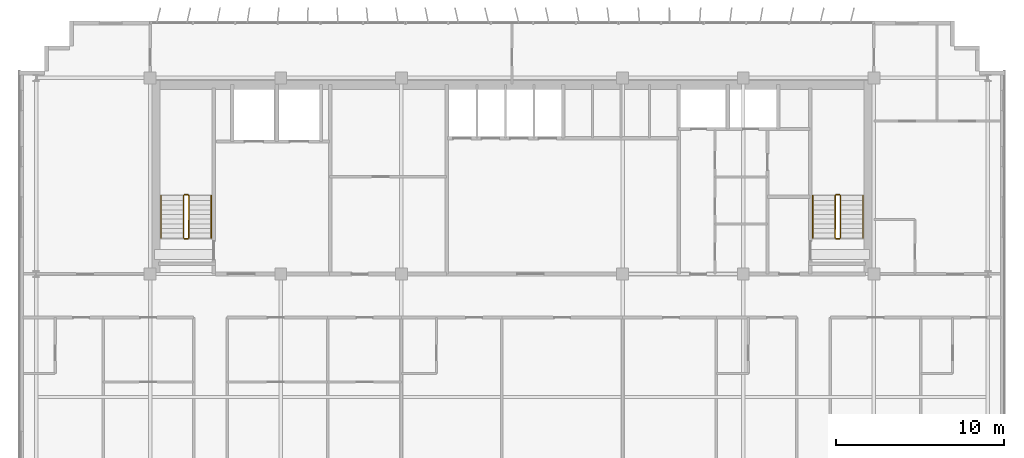
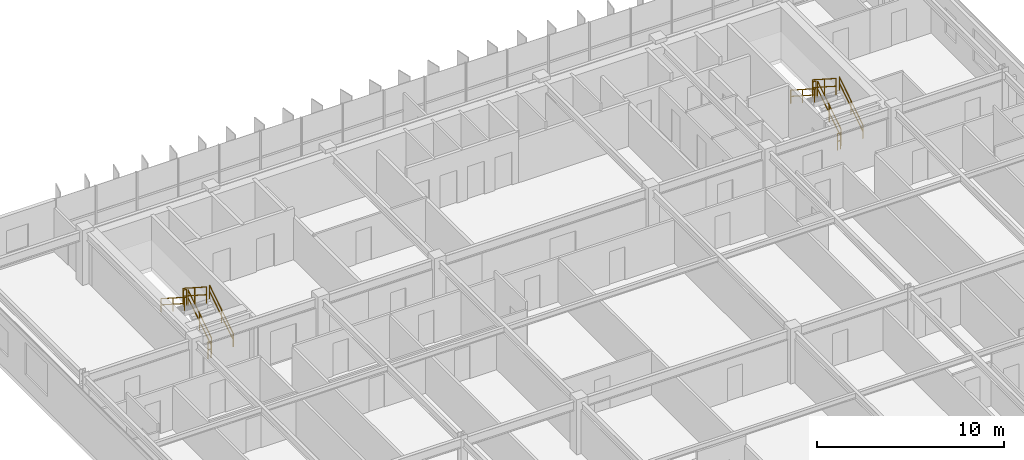
# One storey, part 21 of 21: 12 railings.
"""IFC4 building model written with IfcOpenShell, lengths in metres."""

from ifc_helpers import new_model, si_unit, direction, frame, origin, origin_2d, place, context, subcontext, project, spatial, rectangle, extrude, material, type_object, element, save


model = new_model("IFC4")

# Units and contexts
model_context = context("Model", 3, precision=1e-05, world=origin(), true_north=direction((0.0, 1.0)))
body_context = subcontext(model_context, "Body", "Model", "MODEL_VIEW")
ifc_project = project(units=[si_unit("LENGTHUNIT", "METRE"), si_unit("AREAUNIT", "SQUARE_METRE"), si_unit("VOLUMEUNIT", "CUBIC_METRE"), si_unit("PLANEANGLEUNIT", "RADIAN"), si_unit("MASSUNIT", "GRAM", prefix="KILO")], contexts=[model_context])

# Site, building, storey
site_placement = place(None, origin())
site = spatial("IfcSite", under=ifc_project, at=site_placement, CompositionType="ELEMENT")
building_placement = place(site_placement, origin())
building = spatial("IfcBuilding", under=site, at=building_placement, Name="Trelvane Seafront Commons", CompositionType="ELEMENT")
storey_placement = place(building_placement, frame((0.0, 0.0, 157.300048828125)))
storey = spatial("IfcBuildingStorey", under=building, at=storey_placement, Name="L41", CompositionType="ELEMENT", Elevation=157.300048828125)

# Railings
ifc_material = material(Name="Stainless steel balustrade", Category="steel")
railing_type_1 = type_object("IfcRailingType", Name="ARCH-SRL-GUARD", PredefinedType="GUARDRAIL", material=ifc_material)
railing_1_placement = place(storey_placement, frame((17.89990234375, 35.550048828125, 0.179931640625)))
element("IfcRailing", 1, at=railing_1_placement, inside=storey, type_object=railing_type_1, Name="L41 ST-1 stair guard 1", PredefinedType="GUARDRAIL", context=body_context, shape_type="SweptSolid", body=[
    extrude(rectangle(XDim=0.048095703125, YDim=0.048095703125, at=origin_2d()), frame((0.0, 0.0, 1.076171875), z_axis=(0.0, 0.841162588446, 0.540782303519), x_axis=(-1.0, 0.0, 0.0)), (0.0, 0.0, 1.0), 2.995849609375),
    extrude(rectangle(XDim=0.048095703125, YDim=0.048095703125, at=origin_2d()), frame((0.0, 0.0, 0.572021484375), z_axis=(0.0, 0.841162588446, 0.540782303519), x_axis=(-1.0, 0.0, 0.0)), (0.0, 0.0, 1.0), 2.995849609375),
    extrude(rectangle(XDim=0.0419921875, YDim=0.0419921875, at=origin_2d()), origin(), (0.0, 0.0, 1.0), 1.076171875),
    extrude(rectangle(XDim=0.0419921875, YDim=0.0419921875, at=origin_2d()), frame((0.0, 1.260009765625, 0.81005859375)), (0.0, 0.0, 1.0), 1.076171875),
    extrude(rectangle(XDim=0.0419921875, YDim=0.0419921875, at=origin_2d()), frame((0.0, 2.52001953125, 1.6201171875)), (0.0, 0.0, 1.0), 1.076171875),
])
railing_2_placement = place(storey_placement, frame((17.85009765625, 38.1201171875, 1.800048828125)))
element("IfcRailing", 2, at=railing_2_placement, inside=storey, type_object=railing_type_1, Name="L41 ST-1 stair guard 2", PredefinedType="GUARDRAIL", context=body_context, shape_type="SweptSolid", body=[
    extrude(rectangle(XDim=0.048095703125, YDim=0.048095703125, at=origin_2d()), frame((0.0, 0.0, 1.076171875), z_axis=(-1.0, 0.0, 0.0), x_axis=(0.0, -1.0, 0.0)), (0.0, 0.0, 1.0), 0.2001953125),
    extrude(rectangle(XDim=0.048095703125, YDim=0.048095703125, at=origin_2d()), frame((0.0, 0.0, 0.572021484375), z_axis=(-1.0, 0.0, 0.0), x_axis=(0.0, -1.0, 0.0)), (0.0, 0.0, 1.0), 0.2001953125),
    extrude(rectangle(XDim=0.0419921875, YDim=0.0419921875, at=origin_2d()), origin(), (0.0, 0.0, 1.0), 1.076171875),
    extrude(rectangle(XDim=0.0419921875, YDim=0.0419921875, at=origin_2d()), frame((-0.2001953125, 0.0, 0.0)), (0.0, 0.0, 1.0), 1.076171875),
])
railing_3_placement = place(storey_placement, frame((17.60009765625, 38.070068359375, 1.97998046875)))
element("IfcRailing", 3, at=railing_3_placement, inside=storey, type_object=railing_type_1, Name="L41 ST-1 stair guard 3", PredefinedType="GUARDRAIL", context=body_context, shape_type="SweptSolid", body=[
    extrude(rectangle(XDim=0.048095703125, YDim=0.048095703125, at=origin_2d()), frame((0.0, 0.0, 1.076171875), z_axis=(0.0, -0.841199657755, 0.540724639528), x_axis=(1.0, 0.0, 0.0)), (0.0, 0.0, 1.0), 2.995849609375),
    extrude(rectangle(XDim=0.048095703125, YDim=0.048095703125, at=origin_2d()), frame((0.0, 0.0, 0.572021484375), z_axis=(0.0, -0.841199657755, 0.540724639528), x_axis=(1.0, 0.0, 0.0)), (0.0, 0.0, 1.0), 2.995849609375),
    extrude(rectangle(XDim=0.0419921875, YDim=0.0419921875, at=origin_2d()), origin(), (0.0, 0.0, 1.0), 1.076171875),
    extrude(rectangle(XDim=0.0419921875, YDim=0.0419921875, at=origin_2d()), frame((0.0, -1.260009765625, 0.81005859375)), (0.0, 0.0, 1.0), 1.076171875),
    extrude(rectangle(XDim=0.0419921875, YDim=0.0419921875, at=origin_2d()), frame((0.0, -2.52001953125, 1.619873046875)), (0.0, 0.0, 1.0), 1.076171875),
])
railing_4_placement = place(storey_placement, frame((17.85009765625, 35.5, 0.0)))
element("IfcRailing", 4, at=railing_4_placement, inside=storey, type_object=railing_type_1, Name="L41 ST-1 stair guard 4", PredefinedType="GUARDRAIL", context=body_context, shape_type="SweptSolid", body=[
    extrude(rectangle(XDim=0.048095703125, YDim=0.048095703125, at=origin_2d()), frame((0.0, 0.0, 1.076171875), z_axis=(-1.0, 0.0, 0.0), x_axis=(0.0, -1.0, 0.0)), (0.0, 0.0, 1.0), 0.2001953125),
    extrude(rectangle(XDim=0.048095703125, YDim=0.048095703125, at=origin_2d()), frame((0.0, 0.0, 0.572021484375), z_axis=(-1.0, 0.0, 0.0), x_axis=(0.0, -1.0, 0.0)), (0.0, 0.0, 1.0), 0.2001953125),
    extrude(rectangle(XDim=0.0419921875, YDim=0.0419921875, at=origin_2d()), origin(), (0.0, 0.0, 1.0), 1.076171875),
    extrude(rectangle(XDim=0.0419921875, YDim=0.0419921875, at=origin_2d()), frame((-0.2001953125, 0.0, 0.0)), (0.0, 0.0, 1.0), 1.076171875),
])
railing_5_placement = place(storey_placement, frame((56.800048828125, 35.550048828125, 0.179931640625)))
element("IfcRailing", 5, at=railing_5_placement, inside=storey, type_object=railing_type_1, Name="L41 ST-2 stair guard 1", PredefinedType="GUARDRAIL", context=body_context, shape_type="SweptSolid", body=[
    extrude(rectangle(XDim=0.048095703125, YDim=0.048095703125, at=origin_2d()), frame((0.0, 0.0, 1.076171875), z_axis=(0.0, 0.841162588446, 0.540782303519), x_axis=(-1.0, 0.0, 0.0)), (0.0, 0.0, 1.0), 2.995849609375),
    extrude(rectangle(XDim=0.048095703125, YDim=0.048095703125, at=origin_2d()), frame((0.0, 0.0, 0.572021484375), z_axis=(0.0, 0.841162588446, 0.540782303519), x_axis=(-1.0, 0.0, 0.0)), (0.0, 0.0, 1.0), 2.995849609375),
    extrude(rectangle(XDim=0.0419921875, YDim=0.0419921875, at=origin_2d()), origin(), (0.0, 0.0, 1.0), 1.076171875),
    extrude(rectangle(XDim=0.0419921875, YDim=0.0419921875, at=origin_2d()), frame((0.0, 1.260009765625, 0.81005859375)), (0.0, 0.0, 1.0), 1.076171875),
    extrude(rectangle(XDim=0.0419921875, YDim=0.0419921875, at=origin_2d()), frame((0.0, 2.52001953125, 1.6201171875)), (0.0, 0.0, 1.0), 1.076171875),
])
railing_6_placement = place(storey_placement, frame((56.75, 38.1201171875, 1.800048828125)))
element("IfcRailing", 6, at=railing_6_placement, inside=storey, type_object=railing_type_1, Name="L41 ST-2 stair guard 2", PredefinedType="GUARDRAIL", context=body_context, shape_type="SweptSolid", body=[
    extrude(rectangle(XDim=0.048095703125, YDim=0.048095703125, at=origin_2d()), frame((0.0, 0.0, 1.076171875), z_axis=(-1.0, 0.0, 0.0), x_axis=(0.0, -1.0, 0.0)), (0.0, 0.0, 1.0), 0.199951171875),
    extrude(rectangle(XDim=0.048095703125, YDim=0.048095703125, at=origin_2d()), frame((0.0, 0.0, 0.572021484375), z_axis=(-1.0, 0.0, 0.0), x_axis=(0.0, -1.0, 0.0)), (0.0, 0.0, 1.0), 0.199951171875),
    extrude(rectangle(XDim=0.0419921875, YDim=0.0419921875, at=origin_2d()), origin(), (0.0, 0.0, 1.0), 1.076171875),
    extrude(rectangle(XDim=0.0419921875, YDim=0.0419921875, at=origin_2d()), frame((-0.199951171875, 0.0, 0.0)), (0.0, 0.0, 1.0), 1.076171875),
])
railing_7_placement = place(storey_placement, frame((56.5, 38.070068359375, 1.97998046875)))
element("IfcRailing", 7, at=railing_7_placement, inside=storey, type_object=railing_type_1, Name="L41 ST-2 stair guard 3", PredefinedType="GUARDRAIL", context=body_context, shape_type="SweptSolid", body=[
    extrude(rectangle(XDim=0.048095703125, YDim=0.048095703125, at=origin_2d()), frame((0.0, 0.0, 1.076171875), z_axis=(0.0, -0.841199657755, 0.540724639528), x_axis=(1.0, 0.0, 0.0)), (0.0, 0.0, 1.0), 2.995849609375),
    extrude(rectangle(XDim=0.048095703125, YDim=0.048095703125, at=origin_2d()), frame((0.0, 0.0, 0.572021484375), z_axis=(0.0, -0.841199657755, 0.540724639528), x_axis=(1.0, 0.0, 0.0)), (0.0, 0.0, 1.0), 2.995849609375),
    extrude(rectangle(XDim=0.0419921875, YDim=0.0419921875, at=origin_2d()), origin(), (0.0, 0.0, 1.0), 1.076171875),
    extrude(rectangle(XDim=0.0419921875, YDim=0.0419921875, at=origin_2d()), frame((0.0, -1.260009765625, 0.81005859375)), (0.0, 0.0, 1.0), 1.076171875),
    extrude(rectangle(XDim=0.0419921875, YDim=0.0419921875, at=origin_2d()), frame((0.0, -2.52001953125, 1.619873046875)), (0.0, 0.0, 1.0), 1.076171875),
])
railing_8_placement = place(storey_placement, frame((56.75, 35.5, 0.0)))
element("IfcRailing", 8, at=railing_8_placement, inside=storey, type_object=railing_type_1, Name="L41 ST-2 stair guard 4", PredefinedType="GUARDRAIL", context=body_context, shape_type="SweptSolid", body=[
    extrude(rectangle(XDim=0.048095703125, YDim=0.048095703125, at=origin_2d()), frame((0.0, 0.0, 1.076171875), z_axis=(-1.0, 0.0, 0.0), x_axis=(0.0, -1.0, 0.0)), (0.0, 0.0, 1.0), 0.199951171875),
    extrude(rectangle(XDim=0.048095703125, YDim=0.048095703125, at=origin_2d()), frame((0.0, 0.0, 0.572021484375), z_axis=(-1.0, 0.0, 0.0), x_axis=(0.0, -1.0, 0.0)), (0.0, 0.0, 1.0), 0.199951171875),
    extrude(rectangle(XDim=0.0419921875, YDim=0.0419921875, at=origin_2d()), origin(), (0.0, 0.0, 1.0), 1.076171875),
    extrude(rectangle(XDim=0.0419921875, YDim=0.0419921875, at=origin_2d()), frame((-0.199951171875, 0.0, 0.0)), (0.0, 0.0, 1.0), 1.076171875),
])
railing_type_2 = type_object("IfcRailingType", Name="ARCH-SRL-HAND", PredefinedType="HANDRAIL", material=ifc_material)
railing_9_placement = place(storey_placement, frame((19.25, 35.550048828125, 0.179931640625)))
element("IfcRailing", 9, at=railing_9_placement, inside=storey, type_object=railing_type_2, Name="L41 ST-1 stair handrail 1", PredefinedType="HANDRAIL", context=body_context, shape_type="SweptSolid", body=[
    extrude(rectangle(XDim=0.048095703125, YDim=0.048095703125, at=origin_2d()), frame((0.0, 0.0, 0.8759765625), z_axis=(0.0, 0.841162588446, 0.540782303519), x_axis=(-1.0, 0.0, 0.0)), (0.0, 0.0, 1.0), 2.995849609375),
    extrude(rectangle(XDim=0.048095703125, YDim=0.048095703125, at=origin_2d()), frame((0.0, 0.0, 0.468017578125), z_axis=(0.0, 0.841162588446, 0.540782303519), x_axis=(-1.0, 0.0, 0.0)), (0.0, 0.0, 1.0), 2.995849609375),
    extrude(rectangle(XDim=0.0419921875, YDim=0.0419921875, at=origin_2d()), origin(), (0.0, 0.0, 1.0), 0.8759765625),
    extrude(rectangle(XDim=0.0419921875, YDim=0.0419921875, at=origin_2d()), frame((0.0, 1.260009765625, 0.81005859375)), (0.0, 0.0, 1.0), 0.8759765625),
    extrude(rectangle(XDim=0.0419921875, YDim=0.0419921875, at=origin_2d()), frame((0.0, 2.52001953125, 1.6201171875)), (0.0, 0.0, 1.0), 0.8759765625),
])
railing_10_placement = place(storey_placement, frame((16.25, 38.070068359375, 1.97998046875)))
element("IfcRailing", 10, at=railing_10_placement, inside=storey, type_object=railing_type_2, Name="L41 ST-1 stair handrail 2", PredefinedType="HANDRAIL", context=body_context, shape_type="SweptSolid", body=[
    extrude(rectangle(XDim=0.048095703125, YDim=0.048095703125, at=origin_2d()), frame((0.0, 0.0, 0.8759765625), z_axis=(0.0, -0.841199657755, 0.540724639528), x_axis=(1.0, 0.0, 0.0)), (0.0, 0.0, 1.0), 2.995849609375),
    extrude(rectangle(XDim=0.048095703125, YDim=0.048095703125, at=origin_2d()), frame((0.0, 0.0, 0.468017578125), z_axis=(0.0, -0.841199657755, 0.540724639528), x_axis=(1.0, 0.0, 0.0)), (0.0, 0.0, 1.0), 2.995849609375),
    extrude(rectangle(XDim=0.0419921875, YDim=0.0419921875, at=origin_2d()), origin(), (0.0, 0.0, 1.0), 0.8759765625),
    extrude(rectangle(XDim=0.0419921875, YDim=0.0419921875, at=origin_2d()), frame((0.0, -1.260009765625, 0.81005859375)), (0.0, 0.0, 1.0), 0.8759765625),
    extrude(rectangle(XDim=0.0419921875, YDim=0.0419921875, at=origin_2d()), frame((0.0, -2.52001953125, 1.619873046875)), (0.0, 0.0, 1.0), 0.8759765625),
])
railing_11_placement = place(storey_placement, frame((58.14990234375, 35.550048828125, 0.179931640625)))
element("IfcRailing", 11, at=railing_11_placement, inside=storey, type_object=railing_type_2, Name="L41 ST-2 stair handrail 1", PredefinedType="HANDRAIL", context=body_context, shape_type="SweptSolid", body=[
    extrude(rectangle(XDim=0.048095703125, YDim=0.048095703125, at=origin_2d()), frame((0.0, 0.0, 0.8759765625), z_axis=(0.0, 0.841162588446, 0.540782303519), x_axis=(-1.0, 0.0, 0.0)), (0.0, 0.0, 1.0), 2.995849609375),
    extrude(rectangle(XDim=0.048095703125, YDim=0.048095703125, at=origin_2d()), frame((0.0, 0.0, 0.468017578125), z_axis=(0.0, 0.841162588446, 0.540782303519), x_axis=(-1.0, 0.0, 0.0)), (0.0, 0.0, 1.0), 2.995849609375),
    extrude(rectangle(XDim=0.0419921875, YDim=0.0419921875, at=origin_2d()), origin(), (0.0, 0.0, 1.0), 0.8759765625),
    extrude(rectangle(XDim=0.0419921875, YDim=0.0419921875, at=origin_2d()), frame((0.0, 1.260009765625, 0.81005859375)), (0.0, 0.0, 1.0), 0.8759765625),
    extrude(rectangle(XDim=0.0419921875, YDim=0.0419921875, at=origin_2d()), frame((0.0, 2.52001953125, 1.6201171875)), (0.0, 0.0, 1.0), 0.8759765625),
])
railing_12_placement = place(storey_placement, frame((55.14990234375, 38.070068359375, 1.97998046875)))
element("IfcRailing", 12, at=railing_12_placement, inside=storey, type_object=railing_type_2, Name="L41 ST-2 stair handrail 2", PredefinedType="HANDRAIL", context=body_context, shape_type="SweptSolid", body=[
    extrude(rectangle(XDim=0.048095703125, YDim=0.048095703125, at=origin_2d()), frame((0.0, 0.0, 0.8759765625), z_axis=(0.0, -0.841199657755, 0.540724639528), x_axis=(1.0, 0.0, 0.0)), (0.0, 0.0, 1.0), 2.995849609375),
    extrude(rectangle(XDim=0.048095703125, YDim=0.048095703125, at=origin_2d()), frame((0.0, 0.0, 0.468017578125), z_axis=(0.0, -0.841199657755, 0.540724639528), x_axis=(1.0, 0.0, 0.0)), (0.0, 0.0, 1.0), 2.995849609375),
    extrude(rectangle(XDim=0.0419921875, YDim=0.0419921875, at=origin_2d()), origin(), (0.0, 0.0, 1.0), 0.8759765625),
    extrude(rectangle(XDim=0.0419921875, YDim=0.0419921875, at=origin_2d()), frame((0.0, -1.260009765625, 0.81005859375)), (0.0, 0.0, 1.0), 0.8759765625),
    extrude(rectangle(XDim=0.0419921875, YDim=0.0419921875, at=origin_2d()), frame((0.0, -2.52001953125, 1.619873046875)), (0.0, 0.0, 1.0), 0.8759765625),
])

save(model, "model.ifc")
